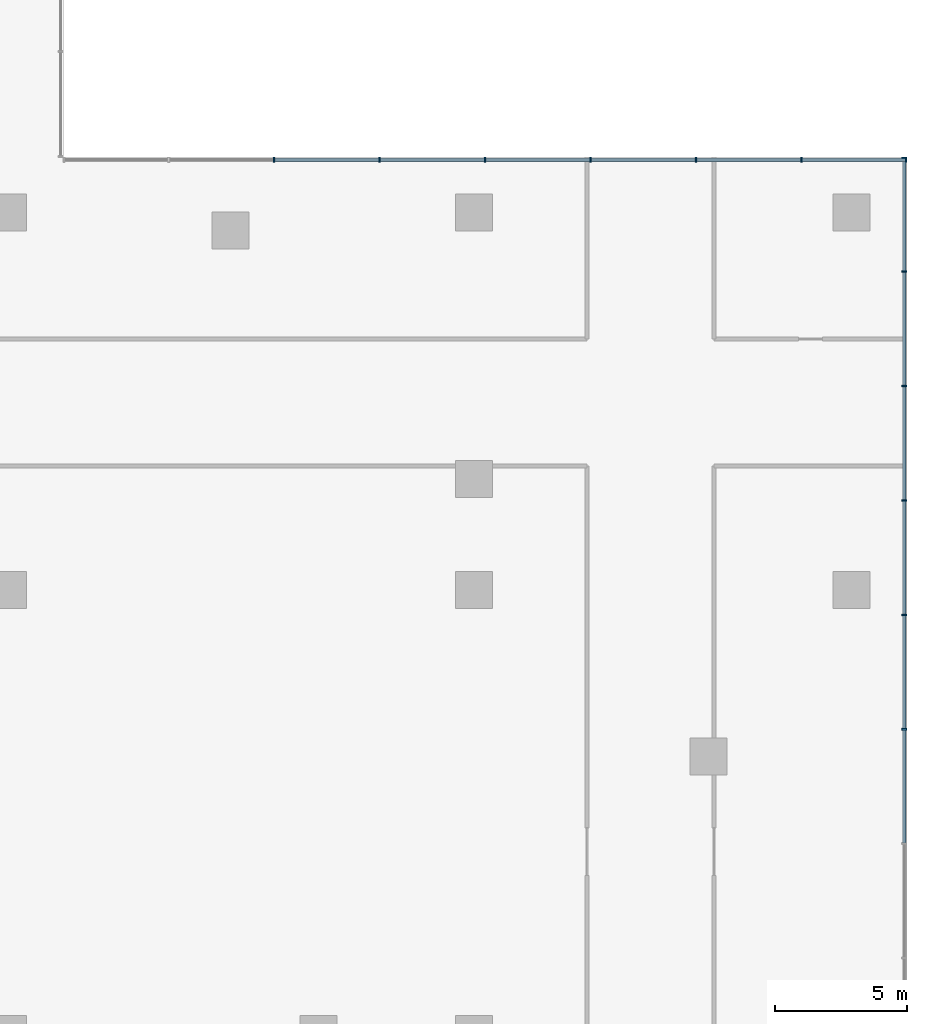
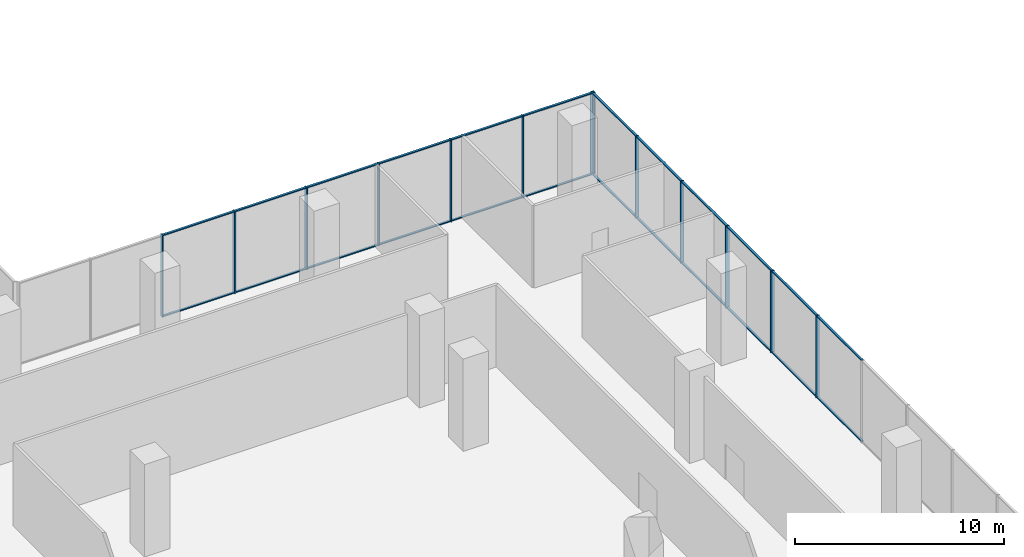
# One storey, part 8 of 22: 37 members, 2 elements without a shape of their own.
"""IFC4 building model written with IfcOpenShell, lengths in metres."""

from ifc_helpers import new_model, si_unit, direction, frame, origin, origin_2d, place, context, subcontext, project, spatial, rectangle, extrude, source, transform, mapped, material, layer, layer_set, material_profile, profile_set, type_object, element, aggregate, save


model = new_model("IFC4")

# Units and contexts
model_context = context("Model", 3, precision=1e-05, world=origin(), true_north=direction((0.0, 1.0)))
body_context = subcontext(model_context, "Body", "Model", "MODEL_VIEW")
ifc_project = project(units=[si_unit("LENGTHUNIT", "METRE"), si_unit("AREAUNIT", "SQUARE_METRE"), si_unit("VOLUMEUNIT", "CUBIC_METRE"), si_unit("PLANEANGLEUNIT", "RADIAN"), si_unit("MASSUNIT", "GRAM", prefix="KILO")], contexts=[model_context])

# Site, building, storey
site_placement = place(None, origin())
site = spatial("IfcSite", under=ifc_project, at=site_placement, CompositionType="ELEMENT")
building_placement = place(site_placement, origin())
building = spatial("IfcBuilding", under=site, at=building_placement, Name="Aurelian Terraces", CompositionType="ELEMENT")
storey_placement = place(building_placement, frame((0.0, 0.0, 7.5)))
storey = spatial("IfcBuildingStorey", under=building, at=storey_placement, Name="L01", CompositionType="ELEMENT", Elevation=7.5)

# Curtain wall, members
ifc_material_1 = material(Name="Anodised aluminium and clear glazing", Category="aluminium")
ifc_layer = layer(ifc_material_1, 0.2)
ifc_layer_set = layer_set([ifc_layer], Name="Podium shopfront curtain wall")
curtain_wall_type = type_object("IfcCurtainWallType", Name="Podium shopfront curtain wall", PredefinedType="NOTDEFINED", material=ifc_layer_set)
curtain_wall_1_placement = place(storey_placement, origin())
curtain_wall_1 = element("IfcCurtainWall", 1, at=curtain_wall_1_placement, inside=storey, type_object=curtain_wall_type, Name="Podium shopfront L01 F03.1", PredefinedType="NOTDEFINED")
ifc_material_2 = material(Name="Anodised aluminium", Category="aluminium")
ifc_material_profile_1 = material_profile(ifc_material_2, rectangle(XDim=0.12, YDim=0.06, at=origin_2d()))
ifc_profile_set_1 = profile_set([ifc_material_profile_1], Name="Anodised aluminium")
member_type_1 = type_object("IfcMemberType", Name="Podium shopfront transom", PredefinedType="USERDEFINED", material=ifc_profile_set_1)
member_1_placement = place(storey_placement, frame((86.04, 54.08, 0.03), z_axis=(-1.0, 0.0, 0.0), x_axis=(0.0, -1.0, 0.0)))
member_1 = element("IfcMember", 2, at=member_1_placement, type_object=member_type_1, Name="CW1 transom 1.1", ObjectType="TRANSOM", PredefinedType="USERDEFINED", context=body_context, shape_type="SweptSolid", body=[
    extrude(rectangle(XDim=0.12, YDim=0.06, at=origin_2d()), origin(), (0.0, 0.0, 1.0), 3.9),
])
shared_shape_1 = source(origin(), body_context, "Body", "SweptSolid", [
    extrude(rectangle(XDim=0.12, YDim=0.06, at=origin_2d()), origin(), (0.0, 0.0, 1.0), 3.93),
])
member_2_placement = place(storey_placement, frame((82.08, 54.08, 0.03), z_axis=(-1.0, 0.0, 0.0), x_axis=(0.0, -1.0, 0.0)))
member_2 = element("IfcMember", 3, at=member_2_placement, type_object=member_type_1, Name="CW1 transom 2.1", ObjectType="TRANSOM", PredefinedType="USERDEFINED", context=body_context, shape_type="MappedRepresentation", body=[
    mapped(shared_shape_1, transform((0.0, 0.0, 0.0), scale=1.0)),
])
member_3_placement = place(storey_placement, frame((82.08, 54.08, 4.77), z_axis=(-1.0, 0.0, 0.0), x_axis=(0.0, -1.0, 0.0)))
member_3 = element("IfcMember", 4, at=member_3_placement, type_object=member_type_1, Name="CW1 transom 2.2", ObjectType="TRANSOM", PredefinedType="USERDEFINED", context=body_context, shape_type="MappedRepresentation", body=[
    mapped(shared_shape_1, transform((0.0, 0.0, 0.0), scale=1.0)),
])
member_4_placement = place(storey_placement, frame((78.09, 54.08, 0.03), z_axis=(-1.0, 0.0, 0.0), x_axis=(0.0, -1.0, 0.0)))
member_4 = element("IfcMember", 5, at=member_4_placement, type_object=member_type_1, Name="CW1 transom 3.1", ObjectType="TRANSOM", PredefinedType="USERDEFINED", context=body_context, shape_type="MappedRepresentation", body=[
    mapped(shared_shape_1, transform((0.0, 0.0, 0.0), scale=1.0)),
])
member_5_placement = place(storey_placement, frame((78.09, 54.08, 4.77), z_axis=(-1.0, 0.0, 0.0), x_axis=(0.0, -1.0, 0.0)))
member_5 = element("IfcMember", 6, at=member_5_placement, type_object=member_type_1, Name="CW1 transom 3.2", ObjectType="TRANSOM", PredefinedType="USERDEFINED", context=body_context, shape_type="MappedRepresentation", body=[
    mapped(shared_shape_1, transform((0.0, 0.0, 0.0), scale=1.0)),
])
member_6_placement = place(storey_placement, frame((74.1, 54.08, 0.03), z_axis=(-1.0, 0.0, 0.0), x_axis=(0.0, -1.0, 0.0)))
member_6 = element("IfcMember", 7, at=member_6_placement, type_object=member_type_1, Name="CW1 transom 4.1", ObjectType="TRANSOM", PredefinedType="USERDEFINED", context=body_context, shape_type="MappedRepresentation", body=[
    mapped(shared_shape_1, transform((0.0, 0.0, 0.0), scale=1.0)),
])
member_7_placement = place(storey_placement, frame((74.1, 54.08, 4.77), z_axis=(-1.0, 0.0, 0.0), x_axis=(0.0, -1.0, 0.0)))
member_7 = element("IfcMember", 8, at=member_7_placement, type_object=member_type_1, Name="CW1 transom 4.2", ObjectType="TRANSOM", PredefinedType="USERDEFINED", context=body_context, shape_type="MappedRepresentation", body=[
    mapped(shared_shape_1, transform((0.0, 0.0, 0.0), scale=1.0)),
])
member_8_placement = place(storey_placement, frame((70.11, 54.08, 0.03), z_axis=(-1.0, 0.0, 0.0), x_axis=(0.0, -1.0, 0.0)))
member_8 = element("IfcMember", 9, at=member_8_placement, type_object=member_type_1, Name="CW1 transom 5.1", ObjectType="TRANSOM", PredefinedType="USERDEFINED", context=body_context, shape_type="MappedRepresentation", body=[
    mapped(shared_shape_1, transform((0.0, 0.0, 0.0), scale=1.0)),
])
member_9_placement = place(storey_placement, frame((70.11, 54.08, 4.77), z_axis=(-1.0, 0.0, 0.0), x_axis=(0.0, -1.0, 0.0)))
member_9 = element("IfcMember", 10, at=member_9_placement, type_object=member_type_1, Name="CW1 transom 5.2", ObjectType="TRANSOM", PredefinedType="USERDEFINED", context=body_context, shape_type="MappedRepresentation", body=[
    mapped(shared_shape_1, transform((0.0, 0.0, 0.0), scale=1.0)),
])
member_10_placement = place(storey_placement, frame((66.12, 54.08, 0.03), z_axis=(-1.0, 0.0, 0.0), x_axis=(0.0, -1.0, 0.0)))
member_10 = element("IfcMember", 11, at=member_10_placement, type_object=member_type_1, Name="CW1 transom 6.1", ObjectType="TRANSOM", PredefinedType="USERDEFINED", context=body_context, shape_type="MappedRepresentation", body=[
    mapped(shared_shape_1, transform((0.0, 0.0, 0.0), scale=1.0)),
])
member_11_placement = place(storey_placement, frame((66.12, 54.08, 4.77), z_axis=(-1.0, 0.0, 0.0), x_axis=(0.0, -1.0, 0.0)))
member_11 = element("IfcMember", 12, at=member_11_placement, type_object=member_type_1, Name="CW1 transom 6.2", ObjectType="TRANSOM", PredefinedType="USERDEFINED", context=body_context, shape_type="MappedRepresentation", body=[
    mapped(shared_shape_1, transform((0.0, 0.0, 0.0), scale=1.0)),
])

curtain_wall_2_placement = place(storey_placement, origin())
curtain_wall_2 = element("IfcCurtainWall", 13, at=curtain_wall_2_placement, inside=storey, type_object=curtain_wall_type, Name="Podium shopfront L01 F02.1", PredefinedType="NOTDEFINED")
ifc_material_profile_2 = material_profile(ifc_material_2, rectangle(XDim=0.2, YDim=0.06, at=origin_2d()))
ifc_profile_set_2 = profile_set([ifc_material_profile_2], Name="Anodised aluminium")
member_type_2 = type_object("IfcMemberType", Name="Podium shopfront mullion", PredefinedType="MULLION", material=ifc_profile_set_2)
shared_shape_2 = source(origin(), body_context, "Body", "SweptSolid", [
    extrude(rectangle(XDim=0.2, YDim=0.06, at=origin_2d()), origin(), (0.0, 0.0, 1.0), 4.8),
])
member_12_placement = place(storey_placement, frame((86.0, 32.5338, 0.0), z_axis=(0.0, 0.0, 1.0), x_axis=(-1.0, 0.0, 0.0)))
member_12 = element("IfcMember", 14, at=member_12_placement, type_object=member_type_2, Name="CW1 mullion 9", PredefinedType="MULLION", context=body_context, shape_type="MappedRepresentation", body=[
    mapped(shared_shape_2, transform((0.0, 0.0, 0.0), scale=1.0)),
])
member_13_placement = place(storey_placement, frame((86.0, 36.8631, 0.0), z_axis=(0.0, 0.0, 1.0), x_axis=(-1.0, 0.0, 0.0)))
member_13 = element("IfcMember", 15, at=member_13_placement, type_object=member_type_2, Name="CW1 mullion 10", PredefinedType="MULLION", context=body_context, shape_type="MappedRepresentation", body=[
    mapped(shared_shape_2, transform((0.0, 0.0, 0.0), scale=1.0)),
])
member_14_placement = place(storey_placement, frame((86.0, 41.1923, 0.0), z_axis=(0.0, 0.0, 1.0), x_axis=(-1.0, 0.0, 0.0)))
member_14 = element("IfcMember", 16, at=member_14_placement, type_object=member_type_2, Name="CW1 mullion 11", PredefinedType="MULLION", context=body_context, shape_type="MappedRepresentation", body=[
    mapped(shared_shape_2, transform((0.0, 0.0, 0.0), scale=1.0)),
])
member_15_placement = place(storey_placement, frame((86.0, 45.5215, 0.0), z_axis=(0.0, 0.0, 1.0), x_axis=(-1.0, 0.0, 0.0)))
member_15 = element("IfcMember", 17, at=member_15_placement, type_object=member_type_2, Name="CW1 mullion 12", PredefinedType="MULLION", context=body_context, shape_type="MappedRepresentation", body=[
    mapped(shared_shape_2, transform((0.0, 0.0, 0.0), scale=1.0)),
])
member_16_placement = place(storey_placement, frame((86.0, 49.8508, 0.0), z_axis=(0.0, 0.0, 1.0), x_axis=(-1.0, 0.0, 0.0)))
member_16 = element("IfcMember", 18, at=member_16_placement, type_object=member_type_2, Name="CW1 mullion 13", PredefinedType="MULLION", context=body_context, shape_type="MappedRepresentation", body=[
    mapped(shared_shape_2, transform((0.0, 0.0, 0.0), scale=1.0)),
])
member_17_placement = place(storey_placement, frame((86.0, 54.15, 0.0), z_axis=(0.0, 0.0, 1.0), x_axis=(-1.0, 0.0, 0.0)))
member_17 = element("IfcMember", 19, at=member_17_placement, type_object=member_type_2, Name="CW1 mullion 14", PredefinedType="MULLION", context=body_context, shape_type="MappedRepresentation", body=[
    mapped(shared_shape_2, transform((0.0, 0.0, 0.0), scale=1.0)),
])

# Member
member_18_placement = place(storey_placement, frame((86.07, 54.08, 0.0), z_axis=(0.0, 0.0, 1.0), x_axis=(0.0, -1.0, 0.0)))
member_18 = element("IfcMember", 20, at=member_18_placement, type_object=member_type_2, Name="CW1 mullion 1", PredefinedType="MULLION", context=body_context, shape_type="MappedRepresentation", body=[
    mapped(shared_shape_2, transform((0.0, 0.0, 0.0), scale=1.0)),
])

member_19_placement = place(storey_placement, frame((82.11, 54.08, 0.0), z_axis=(0.0, 0.0, 1.0), x_axis=(0.0, -1.0, 0.0)))
member_19 = element("IfcMember", 21, at=member_19_placement, type_object=member_type_2, Name="CW1 mullion 2", PredefinedType="MULLION", context=body_context, shape_type="MappedRepresentation", body=[
    mapped(shared_shape_2, transform((0.0, 0.0, 0.0), scale=1.0)),
])

member_20_placement = place(storey_placement, frame((78.12, 54.08, 0.0), z_axis=(0.0, 0.0, 1.0), x_axis=(0.0, -1.0, 0.0)))
member_20 = element("IfcMember", 22, at=member_20_placement, type_object=member_type_2, Name="CW1 mullion 3", PredefinedType="MULLION", context=body_context, shape_type="MappedRepresentation", body=[
    mapped(shared_shape_2, transform((0.0, 0.0, 0.0), scale=1.0)),
])

member_21_placement = place(storey_placement, frame((74.13, 54.08, 0.0), z_axis=(0.0, 0.0, 1.0), x_axis=(0.0, -1.0, 0.0)))
member_21 = element("IfcMember", 23, at=member_21_placement, type_object=member_type_2, Name="CW1 mullion 4", PredefinedType="MULLION", context=body_context, shape_type="MappedRepresentation", body=[
    mapped(shared_shape_2, transform((0.0, 0.0, 0.0), scale=1.0)),
])

member_22_placement = place(storey_placement, frame((70.14, 54.08, 0.0), z_axis=(0.0, 0.0, 1.0), x_axis=(0.0, -1.0, 0.0)))
member_22 = element("IfcMember", 24, at=member_22_placement, type_object=member_type_2, Name="CW1 mullion 5", PredefinedType="MULLION", context=body_context, shape_type="MappedRepresentation", body=[
    mapped(shared_shape_2, transform((0.0, 0.0, 0.0), scale=1.0)),
])

member_23_placement = place(storey_placement, frame((66.15, 54.08, 0.0), z_axis=(0.0, 0.0, 1.0), x_axis=(0.0, -1.0, 0.0)))
member_23 = element("IfcMember", 25, at=member_23_placement, type_object=member_type_2, Name="CW1 mullion 6", PredefinedType="MULLION", context=body_context, shape_type="MappedRepresentation", body=[
    mapped(shared_shape_2, transform((0.0, 0.0, 0.0), scale=1.0)),
])

member_24_placement = place(storey_placement, frame((62.16, 54.08, 0.0), z_axis=(0.0, 0.0, 1.0), x_axis=(0.0, -1.0, 0.0)))
member_24 = element("IfcMember", 26, at=member_24_placement, type_object=member_type_2, Name="CW1 mullion 7", PredefinedType="MULLION", context=body_context, shape_type="MappedRepresentation", body=[
    mapped(shared_shape_2, transform((0.0, 0.0, 0.0), scale=1.0)),
])

shared_shape_3 = source(origin(), body_context, "Body", "SweptSolid", [
    extrude(rectangle(XDim=0.12, YDim=0.06, at=origin_2d()), origin(), (0.0, 0.0, 1.0), 4.2392),
])
member_25_placement = place(storey_placement, frame((86.0, 49.8808, 0.03), z_axis=(0.0, 1.0, 0.0), x_axis=(-1.0, 0.0, 0.0)))
member_25 = element("IfcMember", 27, at=member_25_placement, type_object=member_type_1, Name="CW1 transom 13.1", ObjectType="TRANSOM", PredefinedType="USERDEFINED", context=body_context, shape_type="MappedRepresentation", body=[
    mapped(shared_shape_3, transform((0.0, 0.0, 0.0), scale=1.0)),
])

member_26_placement = place(storey_placement, frame((86.0, 49.8808, 4.77), z_axis=(0.0, 1.0, 0.0), x_axis=(-1.0, 0.0, 0.0)))
member_26 = element("IfcMember", 28, at=member_26_placement, type_object=member_type_1, Name="CW1 transom 13.2", ObjectType="TRANSOM", PredefinedType="USERDEFINED", context=body_context, shape_type="MappedRepresentation", body=[
    mapped(shared_shape_3, transform((0.0, 0.0, 0.0), scale=1.0)),
])

shared_shape_4 = source(origin(), body_context, "Body", "SweptSolid", [
    extrude(rectangle(XDim=0.12, YDim=0.06, at=origin_2d()), origin(), (0.0, 0.0, 1.0), 4.2693),
])
member_27_placement = place(storey_placement, frame((86.0, 32.5638, 0.03), z_axis=(0.0, 1.0, 0.0), x_axis=(-1.0, 0.0, 0.0)))
member_27 = element("IfcMember", 29, at=member_27_placement, type_object=member_type_1, Name="CW1 transom 9.1", ObjectType="TRANSOM", PredefinedType="USERDEFINED", context=body_context, shape_type="MappedRepresentation", body=[
    mapped(shared_shape_4, transform((0.0, 0.0, 0.0), scale=1.0)),
])

member_28_placement = place(storey_placement, frame((86.0, 32.5638, 4.77), z_axis=(0.0, 1.0, 0.0), x_axis=(-1.0, 0.0, 0.0)))
member_28 = element("IfcMember", 30, at=member_28_placement, type_object=member_type_1, Name="CW1 transom 9.2", ObjectType="TRANSOM", PredefinedType="USERDEFINED", context=body_context, shape_type="MappedRepresentation", body=[
    mapped(shared_shape_4, transform((0.0, 0.0, 0.0), scale=1.0)),
])

member_29_placement = place(storey_placement, frame((86.0, 45.5515, 0.03), z_axis=(0.0, 1.0, 0.0), x_axis=(-1.0, 0.0, 0.0)))
member_29 = element("IfcMember", 31, at=member_29_placement, type_object=member_type_1, Name="CW1 transom 12.1", ObjectType="TRANSOM", PredefinedType="USERDEFINED", context=body_context, shape_type="MappedRepresentation", body=[
    mapped(shared_shape_4, transform((0.0, 0.0, 0.0), scale=1.0)),
])

member_30_placement = place(storey_placement, frame((86.0, 45.5515, 4.77), z_axis=(0.0, 1.0, 0.0), x_axis=(-1.0, 0.0, 0.0)))
member_30 = element("IfcMember", 32, at=member_30_placement, type_object=member_type_1, Name="CW1 transom 12.2", ObjectType="TRANSOM", PredefinedType="USERDEFINED", context=body_context, shape_type="MappedRepresentation", body=[
    mapped(shared_shape_4, transform((0.0, 0.0, 0.0), scale=1.0)),
])

shared_shape_5 = source(origin(), body_context, "Body", "SweptSolid", [
    extrude(rectangle(XDim=0.12, YDim=0.06, at=origin_2d()), origin(), (0.0, 0.0, 1.0), 4.2692),
])
member_31_placement = place(storey_placement, frame((86.0, 28.2346, 0.03), z_axis=(0.0, 1.0, 0.0), x_axis=(-1.0, 0.0, 0.0)))
member_31 = element("IfcMember", 33, at=member_31_placement, type_object=member_type_1, Name="CW1 transom 8.1", ObjectType="TRANSOM", PredefinedType="USERDEFINED", context=body_context, shape_type="MappedRepresentation", body=[
    mapped(shared_shape_5, transform((0.0, 0.0, 0.0), scale=1.0)),
])

member_32_placement = place(storey_placement, frame((86.0, 28.2346, 4.77), z_axis=(0.0, 1.0, 0.0), x_axis=(-1.0, 0.0, 0.0)))
member_32 = element("IfcMember", 34, at=member_32_placement, type_object=member_type_1, Name="CW1 transom 8.2", ObjectType="TRANSOM", PredefinedType="USERDEFINED", context=body_context, shape_type="MappedRepresentation", body=[
    mapped(shared_shape_5, transform((0.0, 0.0, 0.0), scale=1.0)),
])

member_33_placement = place(storey_placement, frame((86.0, 36.8931, 0.03), z_axis=(0.0, 1.0, 0.0), x_axis=(-1.0, 0.0, 0.0)))
member_33 = element("IfcMember", 35, at=member_33_placement, type_object=member_type_1, Name="CW1 transom 10.1", ObjectType="TRANSOM", PredefinedType="USERDEFINED", context=body_context, shape_type="MappedRepresentation", body=[
    mapped(shared_shape_5, transform((0.0, 0.0, 0.0), scale=1.0)),
])

member_34_placement = place(storey_placement, frame((86.0, 36.8931, 4.77), z_axis=(0.0, 1.0, 0.0), x_axis=(-1.0, 0.0, 0.0)))
member_34 = element("IfcMember", 36, at=member_34_placement, type_object=member_type_1, Name="CW1 transom 10.2", ObjectType="TRANSOM", PredefinedType="USERDEFINED", context=body_context, shape_type="MappedRepresentation", body=[
    mapped(shared_shape_5, transform((0.0, 0.0, 0.0), scale=1.0)),
])

member_35_placement = place(storey_placement, frame((86.0, 41.2223, 0.03), z_axis=(0.0, 1.0, 0.0), x_axis=(-1.0, 0.0, 0.0)))
member_35 = element("IfcMember", 37, at=member_35_placement, type_object=member_type_1, Name="CW1 transom 11.1", ObjectType="TRANSOM", PredefinedType="USERDEFINED", context=body_context, shape_type="MappedRepresentation", body=[
    mapped(shared_shape_5, transform((0.0, 0.0, 0.0), scale=1.0)),
])

member_36_placement = place(storey_placement, frame((86.0, 41.2223, 4.77), z_axis=(0.0, 1.0, 0.0), x_axis=(-1.0, 0.0, 0.0)))
member_36 = element("IfcMember", 38, at=member_36_placement, type_object=member_type_1, Name="CW1 transom 11.2", ObjectType="TRANSOM", PredefinedType="USERDEFINED", context=body_context, shape_type="MappedRepresentation", body=[
    mapped(shared_shape_5, transform((0.0, 0.0, 0.0), scale=1.0)),
])

aggregate(curtain_wall_2, [member_12, member_13, member_14, member_15, member_16, member_17, member_31, member_32, member_27, member_28, member_33, member_34, member_35, member_36, member_29, member_30, member_25, member_26])

shared_shape_6 = source(origin(), body_context, "Body", "SweptSolid", [
    extrude(rectangle(XDim=0.12, YDim=0.06, at=origin_2d()), origin(), (0.0, 0.0, 1.0), 3.9),
])
member_37_placement = place(storey_placement, frame((86.04, 54.08, 4.77), z_axis=(-1.0, 0.0, 0.0), x_axis=(0.0, -1.0, 0.0)))
member_37 = element("IfcMember", 39, at=member_37_placement, type_object=member_type_1, Name="CW1 transom 1.2", ObjectType="TRANSOM", PredefinedType="USERDEFINED", context=body_context, shape_type="MappedRepresentation", body=[
    mapped(shared_shape_6, transform((0.0, 0.0, 0.0), scale=1.0)),
])

aggregate(curtain_wall_1, [member_18, member_19, member_20, member_21, member_22, member_23, member_24, member_1, member_37, member_2, member_3, member_4, member_5, member_6, member_7, member_8, member_9, member_10, member_11])

save(model, "model.ifc")
